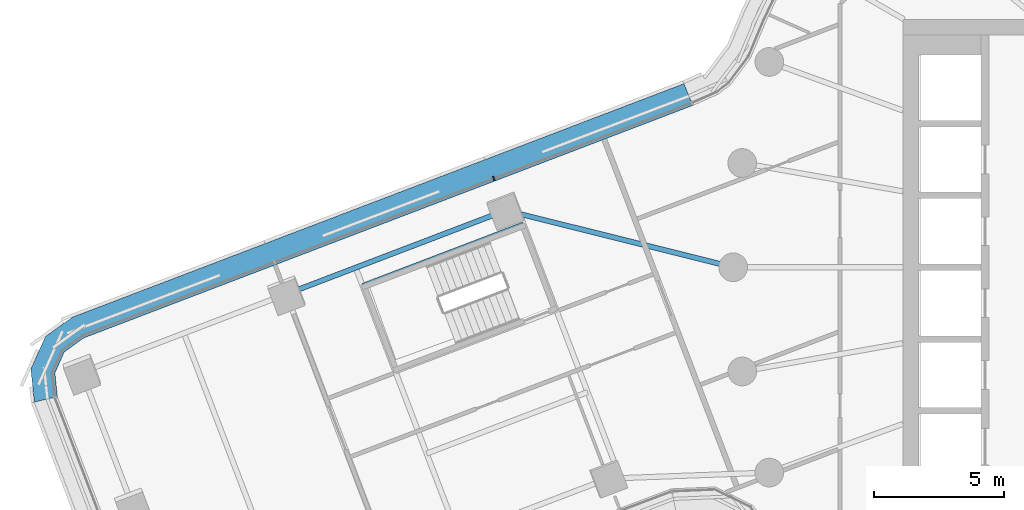
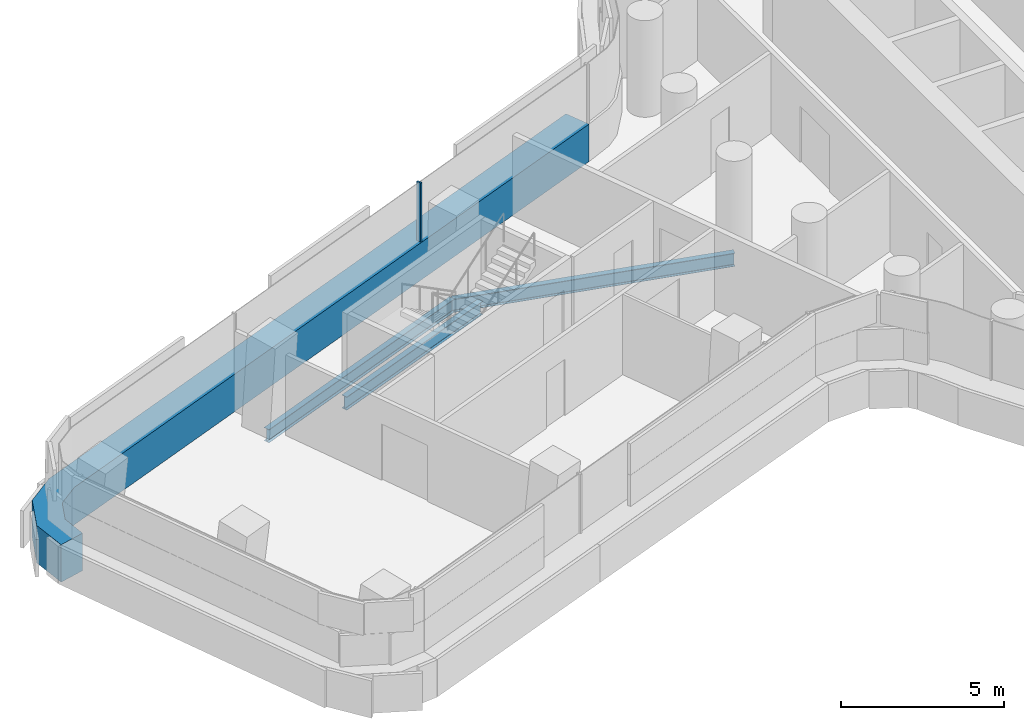
# One storey, part 6 of 32: 3 beams, 2 members, 1 element without a shape of its own.
"""IFC4 building model written with IfcOpenShell, lengths in metres."""

from ifc_helpers import new_model, si_unit, direction, frame, origin, origin_2d, place, context, subcontext, project, spatial, polyline, rectangle, i_section, outline, extrude, material, layer, layer_set, material_profile, profile_set, type_object, element, aggregate, save


model = new_model("IFC4")

# Units and contexts
model_context = context("Model", 3, precision=1e-05, world=origin(), true_north=direction((0.0, 1.0)))
body_context = subcontext(model_context, "Body", "Model", "MODEL_VIEW")
ifc_project = project(units=[si_unit("LENGTHUNIT", "METRE"), si_unit("AREAUNIT", "SQUARE_METRE"), si_unit("VOLUMEUNIT", "CUBIC_METRE"), si_unit("PLANEANGLEUNIT", "RADIAN"), si_unit("MASSUNIT", "GRAM", prefix="KILO")], contexts=[model_context])

# Site, building, storey
site_placement = place(None, origin())
site = spatial("IfcSite", under=ifc_project, at=site_placement, CompositionType="ELEMENT")
building_placement = place(site_placement, origin())
building = spatial("IfcBuilding", under=site, at=building_placement, Name="Tamarind Cross Interchange Tower", CompositionType="ELEMENT")
storey_placement = place(building_placement, frame((0.0, 0.0, 109.75)))
storey = spatial("IfcBuildingStorey", under=building, at=storey_placement, Name="L26", CompositionType="ELEMENT", Elevation=109.75)

# Beams
ifc_material_1 = material(Name="Steel Q355B", Category="steel")
ifc_material_profile_1 = material_profile(ifc_material_1, i_section(OverallWidth=0.198974609375, OverallDepth=0.49609375, WebThickness=0.009033203125, FlangeThickness=0.013916015625, FilletRadius=0.012939453125, at=origin_2d()), Name="HN 496x199x9x14")
ifc_profile_set_1 = profile_set([ifc_material_profile_1], Name="Steel Q355B")
beam_type = type_object("IfcBeamType", Name="Composite beam HN 496x199x9x14 Q355B", PredefinedType="BEAM", material=ifc_profile_set_1)
beam_1_placement = place(storey_placement, frame((-40.123779296875, -1.0322265625, -0.387939453125), z_axis=(0.934222330711, 0.356691234546, 0.0), x_axis=(-0.356691234546, 0.934222330711, 0.0)))
element("IfcBeam", 1, at=beam_1_placement, inside=storey, type_object=beam_type, Name="Beam W-edgeem6", PredefinedType="BEAM", context=body_context, shape_type="SweptSolid", body=[
    extrude(i_section(OverallWidth=0.198974609375, OverallDepth=0.49609375, WebThickness=0.009033203125, FlangeThickness=0.013916015625, FilletRadius=0.012939453125, at=origin_2d()), origin(), (0.0, 0.0, 1.0), 9.0),
])
beam_2_placement = place(storey_placement, frame((-31.7158203125, 2.177978515625, -0.387939453125), z_axis=(0.970168071764, -0.242433315636, 0.0), x_axis=(0.242433315636, 0.970168071764, 0.0)))
element("IfcBeam", 2, at=beam_2_placement, inside=storey, type_object=beam_type, Name="Beam W-linkem", PredefinedType="BEAM", context=body_context, shape_type="SweptSolid", body=[
    extrude(i_section(OverallWidth=0.198974609375, OverallDepth=0.49609375, WebThickness=0.009033203125, FlangeThickness=0.013916015625, FilletRadius=0.012939453125, at=origin_2d()), origin(), (0.0, 0.0, 1.0), 8.98388671875),
])
beam_3_placement = place(storey_placement, frame((-31.02783203125, 1.6376953125, -0.387939453125), z_axis=(-0.934233177325, -0.356662824508, 0.0), x_axis=(0.356662824508, -0.934233177325, 0.0)))
element("IfcBeam", 3, at=beam_3_placement, inside=storey, type_object=beam_type, Name="Beam W-tr0", PredefinedType="BEAM", context=body_context, shape_type="SweptSolid", body=[
    extrude(i_section(OverallWidth=0.198974609375, OverallDepth=0.49609375, WebThickness=0.009033203125, FlangeThickness=0.013916015625, FilletRadius=0.012939453125, at=origin_2d()), origin(), (0.0, 0.0, 1.0), 6.60009765625),
])

# Curtain wall, members
ifc_material_2 = material(Name="Aluminium 6063-T6", Category="aluminium")
ifc_layer = layer(ifc_material_2, 0.159912109375)
ifc_layer_set = layer_set([ifc_layer], Name="Aluminium 6063-T6")
curtain_wall_type = type_object("IfcCurtainWallType", Name="Office curtain wall, 9.0 m bays", PredefinedType="NOTDEFINED", material=ifc_layer_set)
curtain_wall_placement = place(storey_placement, origin())
curtain_wall = element("IfcCurtainWall", 4, at=curtain_wall_placement, inside=storey, type_object=curtain_wall_type, Name="CWS-L26-15", PredefinedType="NOTDEFINED")
ifc_material_3 = material(Name="Aluminium and insulated spandrel panel", Category="aluminium")
member_type_1 = type_object("IfcMemberType", Name="Floor-edge blade transom", PredefinedType="USERDEFINED", material=ifc_material_3)
member_1_placement = place(storey_placement, origin())
member_1 = element("IfcMember", 5, at=member_1_placement, type_object=member_type_1, Name="CWT-L26-15", ObjectType="TRANSOM", PredefinedType="USERDEFINED", context=body_context, shape_type="SweptSolid", body=[
    extrude(outline(polyline([(-24.543212890625, 6.20068359375), (-47.8876953125, -2.7119140625), (-48.62939453125, -3.24853515625), (-48.986328125, -4.046875), (-48.892333984375, -4.957275390625), (-49.775390625, -5.167724609375), (-49.906494140625, -3.8994140625), (-49.352294921875, -2.660888671875), (-48.3193359375, -1.913330078125), (-24.885498046875, 7.033447265625), (-24.543212890625, 6.20068359375)])), origin(), (0.0, 0.0, 1.0), 1.39990234375),
])
ifc_material_profile_2 = material_profile(ifc_material_2, rectangle(XDim=0.06005859375, YDim=0.159912109375, at=origin_2d()), Name="Mullion CW1")
ifc_profile_set_2 = profile_set([ifc_material_profile_2], Name="Aluminium 6063-T6")
member_type_2 = type_object("IfcMemberType", Name="Mullion CW1", PredefinedType="MULLION", material=ifc_profile_set_2)
member_2_placement = place(storey_placement, frame((-32.168212890625, 3.396728515625, 1.39990234375), z_axis=(0.0, 0.0, 1.0), x_axis=(-0.934229377055, -0.356672778674, 0.0)))
member_2 = element("IfcMember", 6, at=member_2_placement, type_object=member_type_2, Name="CWM-L26-15-01", PredefinedType="MULLION", context=body_context, shape_type="SweptSolid", body=[
    extrude(rectangle(XDim=0.06005859375, YDim=0.159912109375, at=origin_2d()), origin(), (0.0, 0.0, 1.0), 2.210205078125),
])
aggregate(curtain_wall, [member_2, member_1])

save(model, "model.ifc")
